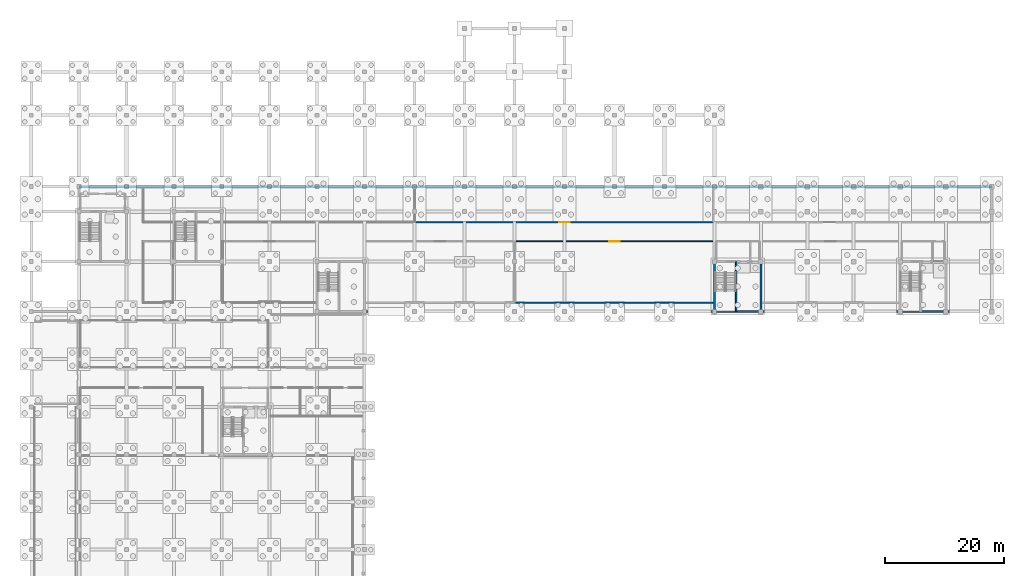
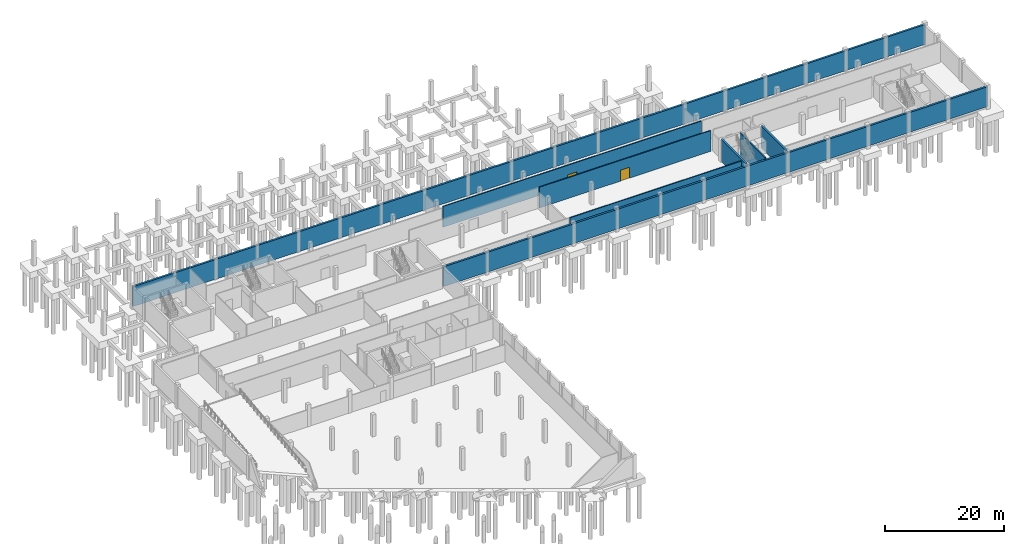
# One storey, part 13 of 22: 8 walls, 2 doors, 2 openings.
"""IFC4 building model written with IfcOpenShell, lengths in metres."""

from ifc_helpers import new_model, si_unit, direction, frame, frame_2d, origin, place, context, subcontext, project, spatial, rectangle, extrude, material, layer, layer_set, type_object, element, fill, save


model = new_model("IFC4")

# Units and contexts
model_context = context("Model", 3, precision=1e-05, world=origin(), true_north=direction((0.0, 1.0)))
body_context = subcontext(model_context, "Body", "Model", "MODEL_VIEW")
ifc_project = project(units=[si_unit("LENGTHUNIT", "METRE"), si_unit("AREAUNIT", "SQUARE_METRE"), si_unit("VOLUMEUNIT", "CUBIC_METRE"), si_unit("PLANEANGLEUNIT", "RADIAN"), si_unit("MASSUNIT", "GRAM", prefix="KILO")], contexts=[model_context])

# Site, building, storey
site_placement = place(None, origin())
site = spatial("IfcSite", under=ifc_project, at=site_placement, CompositionType="ELEMENT")
building_placement = place(site_placement, origin())
building = spatial("IfcBuilding", under=site, at=building_placement, Name="Vharandega Faculty of Natural Sciences", CompositionType="ELEMENT")
storey_placement = place(building_placement, frame((0.0, 0.0, -4.5)))
storey = spatial("IfcBuildingStorey", under=building, at=storey_placement, Name="B01", CompositionType="ELEMENT", Elevation=-4.5)

# Walls
ifc_material_1 = material(Name="Concrete C35/45", Category="concrete")
ifc_layer_1 = layer(ifc_material_1, 0.3798828125, Name="Concrete C35/45")
ifc_layer_set_1 = layer_set([ifc_layer_1], Name="Concrete C35/45")
wall_type_1 = type_object("IfcWallType", Name="Basement Retaining Wall 380", PredefinedType="USERDEFINED", material=ifc_layer_set_1)
wall_1_placement = place(storey_placement, frame((161.39990234375, 64.0, 0.0), z_axis=(0.0, 0.0, 1.0), x_axis=(-1.0, 0.0, 0.0)))
element("IfcWall", 1, at=wall_1_placement, inside=storey, type_object=wall_type_1, Name="Exterior Wall EW-B01-SP", ObjectType="RETAINING WALL", PredefinedType="USERDEFINED", context=body_context, shape_type="SweptSolid", body=[
    extrude(rectangle(XDim=105.39990234375, YDim=0.3798828125, at=frame_2d((52.699951171875, 0.0))), origin(), (0.0, 0.0, 1.0), 4.050048828125),
])
wall_2_placement = place(storey_placement, frame((8.0, 85.0, 0.0), z_axis=(0.0, 0.0, 1.0), x_axis=(1.0, 0.0, 0.0)))
element("IfcWall", 2, at=wall_2_placement, inside=storey, type_object=wall_type_1, Name="Exterior Wall EW-B01-N", ObjectType="RETAINING WALL", PredefinedType="USERDEFINED", context=body_context, shape_type="SweptSolid", body=[
    extrude(rectangle(XDim=153.39990234375, YDim=0.3798828125, at=frame_2d((76.699951171875, 0.0))), origin(), (0.0, 0.0, 1.0), 4.050048828125),
])
ifc_material_2 = material(Name="Concrete C40/50", Category="concrete")
ifc_layer_2 = layer(ifc_material_2, 0.35009765625, Name="Concrete C40/50")
ifc_layer_set_2 = layer_set([ifc_layer_2], Name="Concrete C40/50")
wall_type_2 = type_object("IfcWallType", Name="Core Shear Wall 350", PredefinedType="SHEAR", material=ifc_layer_set_2)
for number, where, z_axis, x_axis, name in (
    (3, (114.800048828125, 64.0, 0.0), (0.0, 0.0, 1.0), (0.0, 1.0, 0.0), "Interior Wall CW-C1-B01-W"),
    (4, (122.60009765625, 64.0, 0.0), (0.0, 0.0, 1.0), (0.0, 1.0, 0.0), "Interior Wall CW-C1-B01-E"),
):
    element("IfcWall", number, at=place(storey_placement, frame(where, z_axis=z_axis, x_axis=x_axis)), inside=storey, type_object=wall_type_2, Name=name, PredefinedType="SHEAR", context=body_context, shape_type="SweptSolid", body=[
        extrude(rectangle(XDim=8.39990234375, YDim=0.35009765625, at=frame_2d((4.199951171875, 0.0))), origin(), (0.0, 0.0, 1.0), 4.5),
    ])
ifc_material_3 = material(Name="Concrete C40/50", Category="concrete")
ifc_layer_3 = layer(ifc_material_3, 0.199951171875, Name="Concrete C40/50")
ifc_layer_set_3 = layer_set([ifc_layer_3], Name="Concrete C40/50")
wall_type_3 = type_object("IfcWallType", Name="Firefighting Lobby Wall 200", PredefinedType="PARTITIONING", material=ifc_layer_set_3)
wall_3_placement = place(storey_placement, frame((81.39990234375, 65.5, 0.0), z_axis=(0.0, 0.0, 1.0), x_axis=(1.0, 0.0, 0.0)))
element("IfcWall", 5, at=wall_3_placement, inside=storey, type_object=wall_type_3, Name="Interior Wall PW-B01-R12S", PredefinedType="PARTITIONING", context=body_context, shape_type="SweptSolid", body=[
    extrude(rectangle(XDim=33.2001953125, YDim=0.199951171875, at=frame_2d((16.60009765625, 0.0))), origin(), (0.0, 0.0, 1.0), 4.239990234375),
])

# Wall, opening, door
wall_4_placement = place(storey_placement, frame((81.39990234375, 75.800048828125, 0.0), z_axis=(0.0, 0.0, 1.0), x_axis=(1.0, 0.0, 0.0)))
wall_4 = element("IfcWall", 6, at=wall_4_placement, inside=storey, type_object=wall_type_3, Name="Interior Wall PW-B01-R12N", PredefinedType="PARTITIONING", context=body_context, shape_type="SweptSolid", body=[
    extrude(rectangle(XDim=33.2001953125, YDim=0.199951171875, at=frame_2d((16.60009765625, 0.0))), origin(), (0.0, 0.0, 1.0), 4.239990234375),
])
opening_1_placement = place(wall_4_placement, frame((15.699951171875, 0.0, 0.0)))
opening_1 = element("IfcOpeningElement", 7, at=opening_1_placement, cuts=wall_4, Name="Opening FD5", PredefinedType="OPENING", context=body_context, shape_type="SweptSolid", body=[
    extrude(rectangle(XDim=1.800048828125, YDim=2.25, at=frame_2d((0.89990234375, 1.125))), frame((0.0, 0.10986328125, 0.0), z_axis=(0.0, -1.0, 0.0), x_axis=(1.0, 0.0, 0.0)), (0.0, 0.0, 1.0), 0.219970703125),
])
ifc_material_4 = material(Name="Solid-core hardwood timber fire door", Category="wood")
door_type = type_object("IfcDoorType", Name="FD5-PLANT-DBL-1800x2250", OperationType="DOUBLE_DOOR_SINGLE_SWING", PredefinedType="DOOR", material=ifc_material_4)
door_1_placement = place(opening_1_placement, origin())
door_1 = element("IfcDoor", 8, at=door_1_placement, inside=storey, type_object=door_type, Name="Fire-Protection and Rainwater Storage Tank Room Door FD5", OperationType="DOUBLE_DOOR_SINGLE_SWING", OverallHeight=2.25, OverallWidth=1.800048828125, PredefinedType="DOOR", context=body_context, shape_type="SweptSolid", body=[
    extrude(rectangle(XDim=1.800048828125, YDim=2.25, at=frame_2d((0.89990234375, 1.125))), frame((0.0, 0.02490234375, 0.0), z_axis=(0.0, -1.0, 0.0), x_axis=(1.0, 0.0, 0.0)), (0.0, 0.0, 1.0), 0.050048828125),
])
fill(opening_1, door_1)

wall_5_placement = place(storey_placement, frame((64.60009765625, 79.0, 0.0), z_axis=(0.0, 0.0, 1.0), x_axis=(1.0, 0.0, 0.0)))
wall_5 = element("IfcWall", 9, at=wall_5_placement, inside=storey, type_object=wall_type_3, Name="Interior Wall PW-B01-R15S", PredefinedType="PARTITIONING", context=body_context, shape_type="SweptSolid", body=[
    extrude(rectangle(XDim=50.0, YDim=0.199951171875, at=frame_2d((25.0, 0.0))), origin(), (0.0, 0.0, 1.0), 4.239990234375),
])
opening_2_placement = place(wall_5_placement, frame((24.10009765625, 0.0, 0.0)))
opening_2 = element("IfcOpeningElement", 10, at=opening_2_placement, cuts=wall_5, Name="Opening FD5", PredefinedType="OPENING", context=body_context, shape_type="SweptSolid", body=[
    extrude(rectangle(XDim=1.800048828125, YDim=2.25, at=frame_2d((0.89990234375, 1.125))), frame((0.0, 0.10986328125, 0.0), z_axis=(0.0, -1.0, 0.0), x_axis=(1.0, 0.0, 0.0)), (0.0, 0.0, 1.0), 0.219970703125),
])
door_2_placement = place(opening_2_placement, origin())
door_2 = element("IfcDoor", 11, at=door_2_placement, inside=storey, type_object=door_type, Name="Standby Power Hall Door FD5", OperationType="DOUBLE_DOOR_SINGLE_SWING", OverallHeight=2.25, OverallWidth=1.800048828125, PredefinedType="DOOR", context=body_context, shape_type="SweptSolid", body=[
    extrude(rectangle(XDim=1.800048828125, YDim=2.25, at=frame_2d((0.89990234375, 1.125))), frame((0.0, 0.02490234375, 0.0), z_axis=(0.0, -1.0, 0.0), x_axis=(1.0, 0.0, 0.0)), (0.0, 0.0, 1.0), 0.050048828125),
])
fill(opening_2, door_2)

# Wall
ifc_material_5 = material(Name="Concrete C40/50", Category="concrete")
ifc_layer_4 = layer(ifc_material_5, 0.260009765625, Name="Concrete C40/50")
ifc_layer_set_4 = layer_set([ifc_layer_4], Name="Concrete C40/50")
wall_type_4 = type_object("IfcWallType", Name="Lift Shaft Shear Wall 260", PredefinedType="SHEAR", material=ifc_layer_set_4)
wall_6_placement = place(storey_placement, frame((118.43994140625, 64.0, 0.0), z_axis=(0.0, 0.0, 1.0), x_axis=(0.0, 1.0, 0.0)))
element("IfcWall", 12, at=wall_6_placement, inside=storey, type_object=wall_type_4, Name="Interior Wall CW-C1-B01-DIV", PredefinedType="SHEAR", context=body_context, shape_type="SweptSolid", body=[
    extrude(rectangle(XDim=8.39990234375, YDim=0.260009765625, at=frame_2d((4.199951171875, 0.0))), origin(), (0.0, 0.0, 1.0), 4.5),
])

save(model, "model.ifc")
